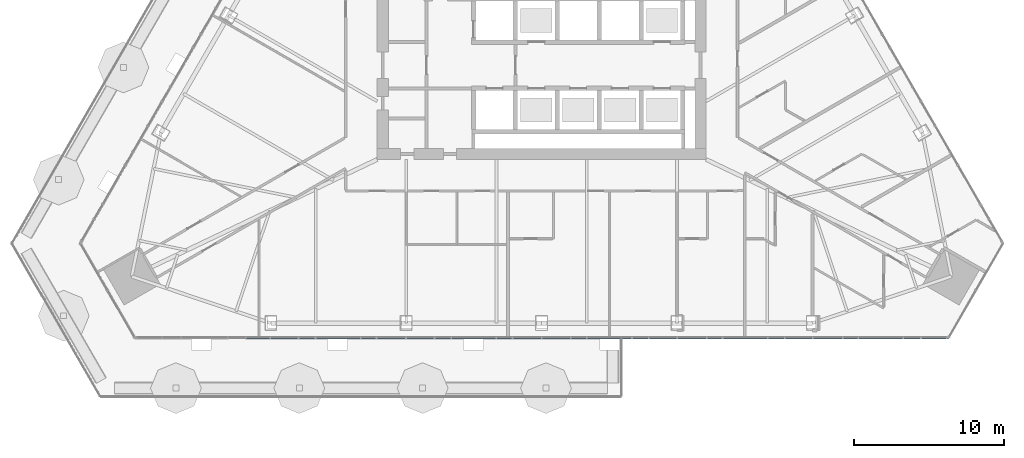
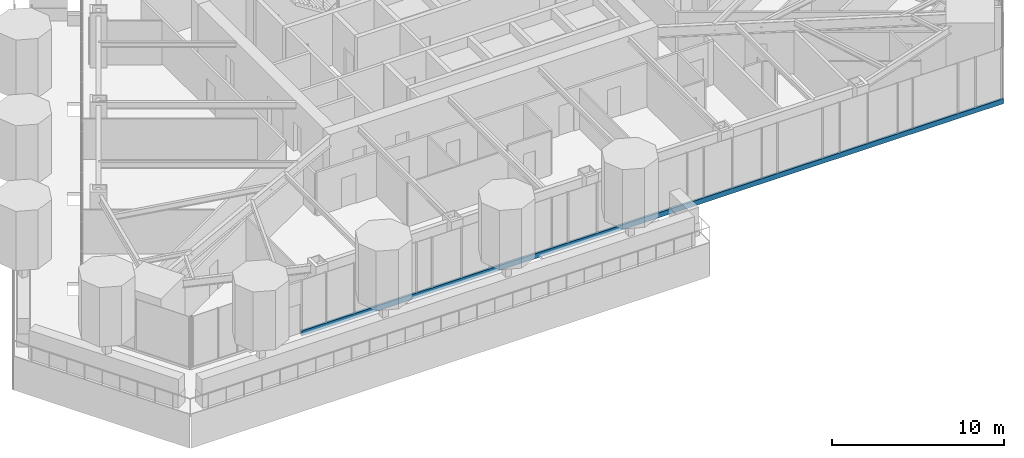
# One storey, part 5 of 32: 1 member, 1 element without a shape of its own.
"""IFC4 building model written with IfcOpenShell, lengths in metres."""

from ifc_helpers import new_model, si_unit, direction, frame, origin, origin_2d, place, context, subcontext, project, spatial, rectangle, extrude, material, layer, layer_set, material_profile, profile_set, type_object, element, aggregate, save


model = new_model("IFC4")

# Units and contexts
model_context = context("Model", 3, precision=1e-05, world=origin(), true_north=direction((0.0, 1.0)))
body_context = subcontext(model_context, "Body", "Model", "MODEL_VIEW")
ifc_project = project(units=[si_unit("LENGTHUNIT", "METRE"), si_unit("AREAUNIT", "SQUARE_METRE"), si_unit("VOLUMEUNIT", "CUBIC_METRE"), si_unit("PLANEANGLEUNIT", "RADIAN"), si_unit("MASSUNIT", "GRAM", prefix="KILO")], contexts=[model_context])

# Site, building, storey
site_placement = place(None, origin())
site = spatial("IfcSite", under=ifc_project, at=site_placement, CompositionType="ELEMENT")
building_placement = place(site_placement, origin())
building = spatial("IfcBuilding", under=site, at=building_placement, Name="Firuza Gate Tower and Library", CompositionType="ELEMENT")
storey_placement = place(building_placement, frame((0.0, 0.0, 163.60009765625)))
storey = spatial("IfcBuildingStorey", under=building, at=storey_placement, Name="L37", CompositionType="ELEMENT", Elevation=163.60009765625)

# Curtain wall, member
ifc_material_1 = material(Name="Aluminium 6063-T6", Category="aluminium")
ifc_layer = layer(ifc_material_1, 0.14990234375)
ifc_layer_set = layer_set([ifc_layer], Name="Unitised curtain wall, hotel")
curtain_wall_type = type_object("IfcCurtainWallType", Name="Unitised curtain wall, hotel", PredefinedType="NOTDEFINED", material=ifc_layer_set)
curtain_wall_placement = place(storey_placement, origin())
curtain_wall = element("IfcCurtainWall", 1, at=curtain_wall_placement, inside=storey, type_object=curtain_wall_type, Name="CW2 L37 S face", PredefinedType="NOTDEFINED")
ifc_material_2 = material(Name="Aluminium 6063-T6", Category="aluminium")
ifc_material_profile = material_profile(ifc_material_2, rectangle(XDim=0.14990234375, YDim=0.35009765625, at=origin_2d()))
ifc_profile_set = profile_set([ifc_material_profile], Name="Aluminium 6063-T6")
member_type = type_object("IfcMemberType", Name="Curtain wall transom 350x150", PredefinedType="USERDEFINED", material=ifc_profile_set)
member_placement = place(storey_placement, frame((55.21484375, 55.086181640625, -0.025146484375), z_axis=(1.0, 0.0, 0.0), x_axis=(0.0, 1.0, 0.0)))
member = element("IfcMember", 2, at=member_placement, type_object=member_type, Name="Transom", ObjectType="TRANSOM", PredefinedType="USERDEFINED", context=body_context, shape_type="SweptSolid", body=[
    extrude(rectangle(XDim=0.14990234375, YDim=0.35009765625, at=origin_2d()), origin(), (0.0, 0.0, 1.0), 46.990478515625),
])
aggregate(curtain_wall, [member])

save(model, "model.ifc")
